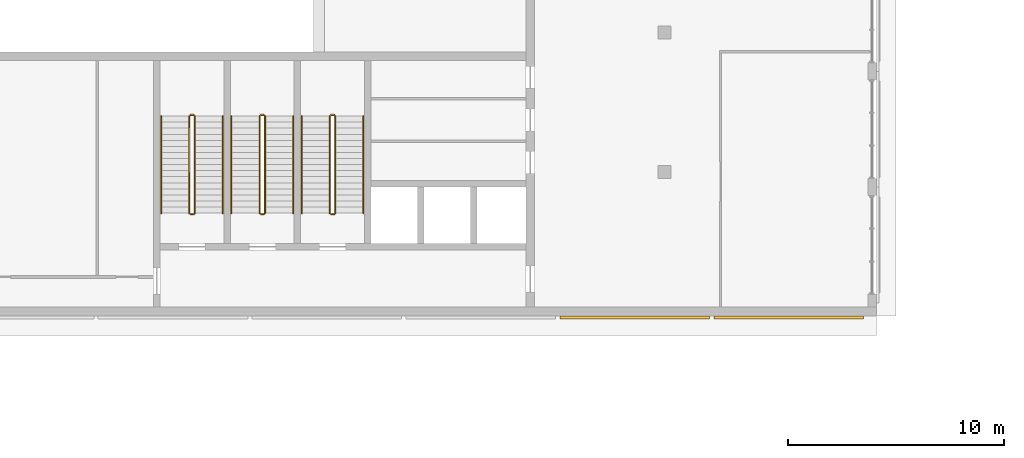
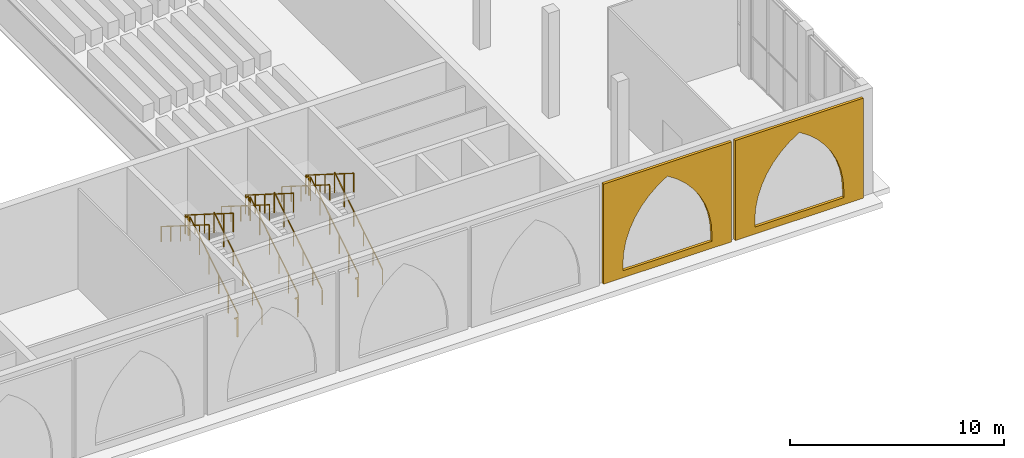
# One storey, part 30 of 74: 18 railings, 2 coverings.
"""IFC4 building model written with IfcOpenShell, lengths in metres."""

from ifc_helpers import new_model, si_unit, direction, frame, origin, origin_2d, place, context, subcontext, project, spatial, polyline, rectangle, outline, extrude, material, layer, layer_set, type_object, element, save


model = new_model("IFC4")

# Units and contexts
model_context = context("Model", 3, precision=1e-05, world=origin(), true_north=direction((0.0, 1.0)))
body_context = subcontext(model_context, "Body", "Model", "MODEL_VIEW")
ifc_project = project(units=[si_unit("LENGTHUNIT", "METRE"), si_unit("AREAUNIT", "SQUARE_METRE"), si_unit("VOLUMEUNIT", "CUBIC_METRE"), si_unit("PLANEANGLEUNIT", "RADIAN"), si_unit("MASSUNIT", "GRAM", prefix="KILO")], contexts=[model_context])

# Site, building, storey
site_placement = place(None, origin())
site = spatial("IfcSite", under=ifc_project, at=site_placement, CompositionType="ELEMENT")
building_placement = place(site_placement, origin())
building = spatial("IfcBuilding", under=site, at=building_placement, Name="Noorbagh Ring Tower", CompositionType="ELEMENT")
storey_placement = place(building_placement, frame((0.0, 0.0, 7.5)))
storey = spatial("IfcBuildingStorey", under=building, at=storey_placement, Name="L01", CompositionType="ELEMENT", Elevation=7.5)

# Coverings
ifc_material_1 = material(Name="Red sandstone cladding", Category="masonry")
ifc_layer = layer(ifc_material_1, 0.14990234375)
ifc_layer_set = layer_set([ifc_layer], Name="Red sandstone cladding")
covering_type = type_object("IfcCoveringType", Name="STH-BLIND", PredefinedType="USERDEFINED", material=ifc_layer_set)
covering_1_placement = place(storey_placement, frame((-109.622314453125, -21.14990234375, 0.0), z_axis=(0.0, -1.0, 0.0), x_axis=(1.0, 0.0, 0.0)))
element("IfcCovering", 1, at=covering_1_placement, inside=storey, type_object=covering_type, Name="Blind arch bay", ObjectType="ARCH", PredefinedType="USERDEFINED", context=body_context, shape_type="SweptSolid", body=[
    extrude(outline(polyline([(0.0, 0.0), (6.9111328125, 0.0), (6.9111328125, 5.699951171875), (0.0, 5.699951171875), (0.0, 0.0)]), holes=[polyline([(1.0556640625, 0.39990234375), (1.0556640625, 0.800048828125), (1.0966796875, 1.426513671875), (1.21923828125, 2.042236328125), (1.4208984375, 2.636962890625), (1.69873046875, 3.199951171875), (2.047607421875, 3.72216796875), (2.46142578125, 4.194091796875), (2.93359375, 4.608154296875), (3.45556640625, 4.956787109375), (3.977783203125, 4.608154296875), (4.44970703125, 4.194091796875), (4.86376953125, 3.72216796875), (5.21240234375, 3.199951171875), (5.490234375, 2.636962890625), (5.69189453125, 2.042236328125), (5.814453125, 1.426513671875), (5.855712890625, 0.800048828125), (5.855712890625, 0.39990234375), (1.0556640625, 0.39990234375)])]), origin(), (0.0, 0.0, -1.0), 0.14990234375),
])
covering_2_placement = place(storey_placement, frame((-102.510986328125, -21.14990234375, 0.0), z_axis=(0.0, -1.0, 0.0), x_axis=(1.0, 0.0, 0.0)))
element("IfcCovering", 2, at=covering_2_placement, inside=storey, type_object=covering_type, Name="Blind arch bay", ObjectType="ARCH", PredefinedType="USERDEFINED", context=body_context, shape_type="SweptSolid", body=[
    extrude(outline(polyline([(0.0, 0.0), (6.910888671875, 0.0), (6.910888671875, 5.699951171875), (0.0, 5.699951171875), (0.0, 0.0)]), holes=[polyline([(1.0556640625, 0.39990234375), (1.0556640625, 0.800048828125), (1.0966796875, 1.426513671875), (1.21923828125, 2.042236328125), (1.4208984375, 2.636962890625), (1.69873046875, 3.199951171875), (2.047607421875, 3.72216796875), (2.46142578125, 4.194091796875), (2.93359375, 4.608154296875), (3.45556640625, 4.956787109375), (3.977783203125, 4.608154296875), (4.44970703125, 4.194091796875), (4.86376953125, 3.72216796875), (5.21240234375, 3.199951171875), (5.490234375, 2.636962890625), (5.69189453125, 2.042236328125), (5.814453125, 1.426513671875), (5.855712890625, 0.800048828125), (5.855712890625, 0.39990234375), (1.0556640625, 0.39990234375)])]), origin(), (0.0, 0.0, -1.0), 0.14990234375),
])

# Railings
ifc_material_2 = material(Name="Stainless steel", Category="steel")
railing_type_1 = type_object("IfcRailingType", Name="TH-STAIR-GUARD", PredefinedType="GUARDRAIL", material=ifc_material_2)
railing_1_placement = place(storey_placement, frame((-123.25, -16.25, 0.176513671875)))
element("IfcRailing", 3, at=railing_1_placement, inside=storey, type_object=railing_type_1, Name="L01 TSS1 stair guard 1", PredefinedType="GUARDRAIL", context=body_context, shape_type="SweptSolid", body=[
    extrude(rectangle(XDim=0.048095703125, YDim=0.048095703125, at=origin_2d()), frame((0.0, 0.0, 1.076171875), z_axis=(0.0, 0.845997938375, 0.533186166611), x_axis=(-1.0, 0.0, 0.0)), (0.0, 0.0, 1.0), 5.29541015625),
    extrude(rectangle(XDim=0.0419921875, YDim=0.0419921875, at=origin_2d()), origin(), (0.0, 0.0, 1.0), 1.052001953125),
    extrude(rectangle(XDim=0.0419921875, YDim=0.0419921875, at=origin_2d()), frame((0.0, 0.89599609375, 0.564697265625)), (0.0, 0.0, 1.0), 1.052001953125),
    extrude(rectangle(XDim=0.0419921875, YDim=0.0419921875, at=origin_2d()), frame((0.0, 1.7919921875, 1.12939453125)), (0.0, 0.0, 1.0), 1.052001953125),
    extrude(rectangle(XDim=0.0419921875, YDim=0.0419921875, at=origin_2d()), frame((0.0, 2.68798828125, 1.694091796875)), (0.0, 0.0, 1.0), 1.052001953125),
    extrude(rectangle(XDim=0.0419921875, YDim=0.0419921875, at=origin_2d()), frame((0.0, 3.583984375, 2.2587890625)), (0.0, 0.0, 1.0), 1.052001953125),
    extrude(rectangle(XDim=0.0419921875, YDim=0.0419921875, at=origin_2d()), frame((0.0, 4.47998046875, 2.823486328125)), (0.0, 0.0, 1.0), 1.052001953125),
])
railing_2_placement = place(storey_placement, frame((-123.300048828125, -11.719970703125, 3.0)))
element("IfcRailing", 4, at=railing_2_placement, inside=storey, type_object=railing_type_1, Name="L01 TSS1 stair guard 2", PredefinedType="GUARDRAIL", context=body_context, shape_type="SweptSolid", body=[
    extrude(rectangle(XDim=0.048095703125, YDim=0.048095703125, at=origin_2d()), frame((0.0, 0.0, 1.076171875), z_axis=(-1.0, 0.0, 0.0), x_axis=(0.0, -1.0, 0.0)), (0.0, 0.0, 1.0), 0.14990234375),
    extrude(rectangle(XDim=0.0419921875, YDim=0.0419921875, at=origin_2d()), origin(), (0.0, 0.0, 1.0), 1.052001953125),
])
railing_3_placement = place(storey_placement, frame((-123.5, -11.77001953125, 3.176513671875)))
element("IfcRailing", 5, at=railing_3_placement, inside=storey, type_object=railing_type_1, Name="L01 TSS1 stair guard 3", PredefinedType="GUARDRAIL", context=body_context, shape_type="SweptSolid", body=[
    extrude(rectangle(XDim=0.048095703125, YDim=0.048095703125, at=origin_2d()), frame((0.0, 0.0, 1.076171875), z_axis=(0.0, -0.845997938375, 0.533186166611), x_axis=(1.0, 0.0, 0.0)), (0.0, 0.0, 1.0), 5.29541015625),
    extrude(rectangle(XDim=0.0419921875, YDim=0.0419921875, at=origin_2d()), origin(), (0.0, 0.0, 1.0), 1.052001953125),
    extrude(rectangle(XDim=0.0419921875, YDim=0.0419921875, at=origin_2d()), frame((0.0, -0.89599609375, 0.564697265625)), (0.0, 0.0, 1.0), 1.052001953125),
    extrude(rectangle(XDim=0.0419921875, YDim=0.0419921875, at=origin_2d()), frame((0.0, -1.7919921875, 1.12939453125)), (0.0, 0.0, 1.0), 1.052001953125),
    extrude(rectangle(XDim=0.0419921875, YDim=0.0419921875, at=origin_2d()), frame((0.0, -2.68798828125, 1.694091796875)), (0.0, 0.0, 1.0), 1.052001953125),
    extrude(rectangle(XDim=0.0419921875, YDim=0.0419921875, at=origin_2d()), frame((0.0, -3.583984375, 2.2587890625)), (0.0, 0.0, 1.0), 1.052001953125),
    extrude(rectangle(XDim=0.0419921875, YDim=0.0419921875, at=origin_2d()), frame((0.0, -4.47998046875, 2.823486328125)), (0.0, 0.0, 1.0), 1.052001953125),
])
railing_4_placement = place(storey_placement, frame((-123.300048828125, -16.300048828125, 0.0)))
element("IfcRailing", 6, at=railing_4_placement, inside=storey, type_object=railing_type_1, Name="L01 TSS1 stair guard 4", PredefinedType="GUARDRAIL", context=body_context, shape_type="SweptSolid", body=[
    extrude(rectangle(XDim=0.048095703125, YDim=0.048095703125, at=origin_2d()), frame((0.0, 0.0, 1.076171875), z_axis=(-1.0, 0.0, 0.0), x_axis=(0.0, -1.0, 0.0)), (0.0, 0.0, 1.0), 0.14990234375),
    extrude(rectangle(XDim=0.0419921875, YDim=0.0419921875, at=origin_2d()), origin(), (0.0, 0.0, 1.0), 1.052001953125),
])
railing_5_placement = place(storey_placement, frame((-120.0, -16.25, 0.176513671875)))
element("IfcRailing", 7, at=railing_5_placement, inside=storey, type_object=railing_type_1, Name="L01 TSS2 stair guard 1", PredefinedType="GUARDRAIL", context=body_context, shape_type="SweptSolid", body=[
    extrude(rectangle(XDim=0.048095703125, YDim=0.048095703125, at=origin_2d()), frame((0.0, 0.0, 1.076171875), z_axis=(0.0, 0.845997938375, 0.533186166611), x_axis=(-1.0, 0.0, 0.0)), (0.0, 0.0, 1.0), 5.29541015625),
    extrude(rectangle(XDim=0.0419921875, YDim=0.0419921875, at=origin_2d()), origin(), (0.0, 0.0, 1.0), 1.052001953125),
    extrude(rectangle(XDim=0.0419921875, YDim=0.0419921875, at=origin_2d()), frame((0.0, 0.89599609375, 0.564697265625)), (0.0, 0.0, 1.0), 1.052001953125),
    extrude(rectangle(XDim=0.0419921875, YDim=0.0419921875, at=origin_2d()), frame((0.0, 1.7919921875, 1.12939453125)), (0.0, 0.0, 1.0), 1.052001953125),
    extrude(rectangle(XDim=0.0419921875, YDim=0.0419921875, at=origin_2d()), frame((0.0, 2.68798828125, 1.694091796875)), (0.0, 0.0, 1.0), 1.052001953125),
    extrude(rectangle(XDim=0.0419921875, YDim=0.0419921875, at=origin_2d()), frame((0.0, 3.583984375, 2.2587890625)), (0.0, 0.0, 1.0), 1.052001953125),
    extrude(rectangle(XDim=0.0419921875, YDim=0.0419921875, at=origin_2d()), frame((0.0, 4.47998046875, 2.823486328125)), (0.0, 0.0, 1.0), 1.052001953125),
])
railing_6_placement = place(storey_placement, frame((-120.050048828125, -11.719970703125, 3.0)))
element("IfcRailing", 8, at=railing_6_placement, inside=storey, type_object=railing_type_1, Name="L01 TSS2 stair guard 2", PredefinedType="GUARDRAIL", context=body_context, shape_type="SweptSolid", body=[
    extrude(rectangle(XDim=0.048095703125, YDim=0.048095703125, at=origin_2d()), frame((0.0, 0.0, 1.076171875), z_axis=(-1.0, 0.0, 0.0), x_axis=(0.0, -1.0, 0.0)), (0.0, 0.0, 1.0), 0.14990234375),
    extrude(rectangle(XDim=0.0419921875, YDim=0.0419921875, at=origin_2d()), origin(), (0.0, 0.0, 1.0), 1.052001953125),
])
railing_7_placement = place(storey_placement, frame((-120.25, -11.77001953125, 3.176513671875)))
element("IfcRailing", 9, at=railing_7_placement, inside=storey, type_object=railing_type_1, Name="L01 TSS2 stair guard 3", PredefinedType="GUARDRAIL", context=body_context, shape_type="SweptSolid", body=[
    extrude(rectangle(XDim=0.048095703125, YDim=0.048095703125, at=origin_2d()), frame((0.0, 0.0, 1.076171875), z_axis=(0.0, -0.845997938375, 0.533186166611), x_axis=(1.0, 0.0, 0.0)), (0.0, 0.0, 1.0), 5.29541015625),
    extrude(rectangle(XDim=0.0419921875, YDim=0.0419921875, at=origin_2d()), origin(), (0.0, 0.0, 1.0), 1.052001953125),
    extrude(rectangle(XDim=0.0419921875, YDim=0.0419921875, at=origin_2d()), frame((0.0, -0.89599609375, 0.564697265625)), (0.0, 0.0, 1.0), 1.052001953125),
    extrude(rectangle(XDim=0.0419921875, YDim=0.0419921875, at=origin_2d()), frame((0.0, -1.7919921875, 1.12939453125)), (0.0, 0.0, 1.0), 1.052001953125),
    extrude(rectangle(XDim=0.0419921875, YDim=0.0419921875, at=origin_2d()), frame((0.0, -2.68798828125, 1.694091796875)), (0.0, 0.0, 1.0), 1.052001953125),
    extrude(rectangle(XDim=0.0419921875, YDim=0.0419921875, at=origin_2d()), frame((0.0, -3.583984375, 2.2587890625)), (0.0, 0.0, 1.0), 1.052001953125),
    extrude(rectangle(XDim=0.0419921875, YDim=0.0419921875, at=origin_2d()), frame((0.0, -4.47998046875, 2.823486328125)), (0.0, 0.0, 1.0), 1.052001953125),
])
railing_8_placement = place(storey_placement, frame((-120.050048828125, -16.300048828125, 0.0)))
element("IfcRailing", 10, at=railing_8_placement, inside=storey, type_object=railing_type_1, Name="L01 TSS2 stair guard 4", PredefinedType="GUARDRAIL", context=body_context, shape_type="SweptSolid", body=[
    extrude(rectangle(XDim=0.048095703125, YDim=0.048095703125, at=origin_2d()), frame((0.0, 0.0, 1.076171875), z_axis=(-1.0, 0.0, 0.0), x_axis=(0.0, -1.0, 0.0)), (0.0, 0.0, 1.0), 0.14990234375),
    extrude(rectangle(XDim=0.0419921875, YDim=0.0419921875, at=origin_2d()), origin(), (0.0, 0.0, 1.0), 1.052001953125),
])
railing_9_placement = place(storey_placement, frame((-126.5, -16.25, 0.176513671875)))
element("IfcRailing", 11, at=railing_9_placement, inside=storey, type_object=railing_type_1, Name="L01 TSS3 stair guard 1", PredefinedType="GUARDRAIL", context=body_context, shape_type="SweptSolid", body=[
    extrude(rectangle(XDim=0.048095703125, YDim=0.048095703125, at=origin_2d()), frame((0.0, 0.0, 1.076171875), z_axis=(0.0, 0.845997938375, 0.533186166611), x_axis=(-1.0, 0.0, 0.0)), (0.0, 0.0, 1.0), 5.29541015625),
    extrude(rectangle(XDim=0.0419921875, YDim=0.0419921875, at=origin_2d()), origin(), (0.0, 0.0, 1.0), 1.052001953125),
    extrude(rectangle(XDim=0.0419921875, YDim=0.0419921875, at=origin_2d()), frame((0.0, 0.89599609375, 0.564697265625)), (0.0, 0.0, 1.0), 1.052001953125),
    extrude(rectangle(XDim=0.0419921875, YDim=0.0419921875, at=origin_2d()), frame((0.0, 1.7919921875, 1.12939453125)), (0.0, 0.0, 1.0), 1.052001953125),
    extrude(rectangle(XDim=0.0419921875, YDim=0.0419921875, at=origin_2d()), frame((0.0, 2.68798828125, 1.694091796875)), (0.0, 0.0, 1.0), 1.052001953125),
    extrude(rectangle(XDim=0.0419921875, YDim=0.0419921875, at=origin_2d()), frame((0.0, 3.583984375, 2.2587890625)), (0.0, 0.0, 1.0), 1.052001953125),
    extrude(rectangle(XDim=0.0419921875, YDim=0.0419921875, at=origin_2d()), frame((0.0, 4.47998046875, 2.823486328125)), (0.0, 0.0, 1.0), 1.052001953125),
])
railing_10_placement = place(storey_placement, frame((-126.550048828125, -11.719970703125, 3.0)))
element("IfcRailing", 12, at=railing_10_placement, inside=storey, type_object=railing_type_1, Name="L01 TSS3 stair guard 2", PredefinedType="GUARDRAIL", context=body_context, shape_type="SweptSolid", body=[
    extrude(rectangle(XDim=0.048095703125, YDim=0.048095703125, at=origin_2d()), frame((0.0, 0.0, 1.076171875), z_axis=(-1.0, 0.0, 0.0), x_axis=(0.0, -1.0, 0.0)), (0.0, 0.0, 1.0), 0.14990234375),
    extrude(rectangle(XDim=0.0419921875, YDim=0.0419921875, at=origin_2d()), origin(), (0.0, 0.0, 1.0), 1.052001953125),
])
railing_11_placement = place(storey_placement, frame((-126.75, -11.77001953125, 3.176513671875)))
element("IfcRailing", 13, at=railing_11_placement, inside=storey, type_object=railing_type_1, Name="L01 TSS3 stair guard 3", PredefinedType="GUARDRAIL", context=body_context, shape_type="SweptSolid", body=[
    extrude(rectangle(XDim=0.048095703125, YDim=0.048095703125, at=origin_2d()), frame((0.0, 0.0, 1.076171875), z_axis=(0.0, -0.845997938375, 0.533186166611), x_axis=(1.0, 0.0, 0.0)), (0.0, 0.0, 1.0), 5.29541015625),
    extrude(rectangle(XDim=0.0419921875, YDim=0.0419921875, at=origin_2d()), origin(), (0.0, 0.0, 1.0), 1.052001953125),
    extrude(rectangle(XDim=0.0419921875, YDim=0.0419921875, at=origin_2d()), frame((0.0, -0.89599609375, 0.564697265625)), (0.0, 0.0, 1.0), 1.052001953125),
    extrude(rectangle(XDim=0.0419921875, YDim=0.0419921875, at=origin_2d()), frame((0.0, -1.7919921875, 1.12939453125)), (0.0, 0.0, 1.0), 1.052001953125),
    extrude(rectangle(XDim=0.0419921875, YDim=0.0419921875, at=origin_2d()), frame((0.0, -2.68798828125, 1.694091796875)), (0.0, 0.0, 1.0), 1.052001953125),
    extrude(rectangle(XDim=0.0419921875, YDim=0.0419921875, at=origin_2d()), frame((0.0, -3.583984375, 2.2587890625)), (0.0, 0.0, 1.0), 1.052001953125),
    extrude(rectangle(XDim=0.0419921875, YDim=0.0419921875, at=origin_2d()), frame((0.0, -4.47998046875, 2.823486328125)), (0.0, 0.0, 1.0), 1.052001953125),
])
railing_12_placement = place(storey_placement, frame((-126.550048828125, -16.300048828125, 0.0)))
element("IfcRailing", 14, at=railing_12_placement, inside=storey, type_object=railing_type_1, Name="L01 TSS3 stair guard 4", PredefinedType="GUARDRAIL", context=body_context, shape_type="SweptSolid", body=[
    extrude(rectangle(XDim=0.048095703125, YDim=0.048095703125, at=origin_2d()), frame((0.0, 0.0, 1.076171875), z_axis=(-1.0, 0.0, 0.0), x_axis=(0.0, -1.0, 0.0)), (0.0, 0.0, 1.0), 0.14990234375),
    extrude(rectangle(XDim=0.0419921875, YDim=0.0419921875, at=origin_2d()), origin(), (0.0, 0.0, 1.0), 1.052001953125),
])
ifc_material_3 = material(Name="Stainless steel", Category="steel")
railing_type_2 = type_object("IfcRailingType", Name="TH-STAIR-HANDRAIL", PredefinedType="HANDRAIL", material=ifc_material_3)
railing_13_placement = place(storey_placement, frame((-121.949951171875, -16.25, 0.176513671875)))
element("IfcRailing", 15, at=railing_13_placement, inside=storey, type_object=railing_type_2, Name="L01 TSS1 stair handrail 1", PredefinedType="HANDRAIL", context=body_context, shape_type="SweptSolid", body=[
    extrude(rectangle(XDim=0.048095703125, YDim=0.048095703125, at=origin_2d()), frame((0.0, 0.0, 0.8759765625), z_axis=(0.0, 0.845997938375, 0.533186166611), x_axis=(-1.0, 0.0, 0.0)), (0.0, 0.0, 1.0), 5.29541015625),
    extrude(rectangle(XDim=0.0419921875, YDim=0.0419921875, at=origin_2d()), origin(), (0.0, 0.0, 1.0), 0.851806640625),
    extrude(rectangle(XDim=0.0419921875, YDim=0.0419921875, at=origin_2d()), frame((0.0, 0.89599609375, 0.564697265625)), (0.0, 0.0, 1.0), 0.851806640625),
    extrude(rectangle(XDim=0.0419921875, YDim=0.0419921875, at=origin_2d()), frame((0.0, 1.7919921875, 1.12939453125)), (0.0, 0.0, 1.0), 0.851806640625),
    extrude(rectangle(XDim=0.0419921875, YDim=0.0419921875, at=origin_2d()), frame((0.0, 2.68798828125, 1.694091796875)), (0.0, 0.0, 1.0), 0.851806640625),
    extrude(rectangle(XDim=0.0419921875, YDim=0.0419921875, at=origin_2d()), frame((0.0, 3.583984375, 2.2587890625)), (0.0, 0.0, 1.0), 0.851806640625),
    extrude(rectangle(XDim=0.0419921875, YDim=0.0419921875, at=origin_2d()), frame((0.0, 4.47998046875, 2.823486328125)), (0.0, 0.0, 1.0), 0.851806640625),
])
railing_14_placement = place(storey_placement, frame((-124.800048828125, -11.77001953125, 3.176513671875)))
element("IfcRailing", 16, at=railing_14_placement, inside=storey, type_object=railing_type_2, Name="L01 TSS1 stair handrail 2", PredefinedType="HANDRAIL", context=body_context, shape_type="SweptSolid", body=[
    extrude(rectangle(XDim=0.048095703125, YDim=0.048095703125, at=origin_2d()), frame((0.0, 0.0, 0.8759765625), z_axis=(0.0, -0.845997938375, 0.533186166611), x_axis=(1.0, 0.0, 0.0)), (0.0, 0.0, 1.0), 5.29541015625),
    extrude(rectangle(XDim=0.0419921875, YDim=0.0419921875, at=origin_2d()), origin(), (0.0, 0.0, 1.0), 0.851806640625),
    extrude(rectangle(XDim=0.0419921875, YDim=0.0419921875, at=origin_2d()), frame((0.0, -0.89599609375, 0.564697265625)), (0.0, 0.0, 1.0), 0.851806640625),
    extrude(rectangle(XDim=0.0419921875, YDim=0.0419921875, at=origin_2d()), frame((0.0, -1.7919921875, 1.12939453125)), (0.0, 0.0, 1.0), 0.851806640625),
    extrude(rectangle(XDim=0.0419921875, YDim=0.0419921875, at=origin_2d()), frame((0.0, -2.68798828125, 1.694091796875)), (0.0, 0.0, 1.0), 0.851806640625),
    extrude(rectangle(XDim=0.0419921875, YDim=0.0419921875, at=origin_2d()), frame((0.0, -3.583984375, 2.2587890625)), (0.0, 0.0, 1.0), 0.851806640625),
    extrude(rectangle(XDim=0.0419921875, YDim=0.0419921875, at=origin_2d()), frame((0.0, -4.47998046875, 2.823486328125)), (0.0, 0.0, 1.0), 0.851806640625),
])
railing_15_placement = place(storey_placement, frame((-118.699951171875, -16.25, 0.176513671875)))
element("IfcRailing", 17, at=railing_15_placement, inside=storey, type_object=railing_type_2, Name="L01 TSS2 stair handrail 1", PredefinedType="HANDRAIL", context=body_context, shape_type="SweptSolid", body=[
    extrude(rectangle(XDim=0.048095703125, YDim=0.048095703125, at=origin_2d()), frame((0.0, 0.0, 0.8759765625), z_axis=(0.0, 0.845997938375, 0.533186166611), x_axis=(-1.0, 0.0, 0.0)), (0.0, 0.0, 1.0), 5.29541015625),
    extrude(rectangle(XDim=0.0419921875, YDim=0.0419921875, at=origin_2d()), origin(), (0.0, 0.0, 1.0), 0.851806640625),
    extrude(rectangle(XDim=0.0419921875, YDim=0.0419921875, at=origin_2d()), frame((0.0, 0.89599609375, 0.564697265625)), (0.0, 0.0, 1.0), 0.851806640625),
    extrude(rectangle(XDim=0.0419921875, YDim=0.0419921875, at=origin_2d()), frame((0.0, 1.7919921875, 1.12939453125)), (0.0, 0.0, 1.0), 0.851806640625),
    extrude(rectangle(XDim=0.0419921875, YDim=0.0419921875, at=origin_2d()), frame((0.0, 2.68798828125, 1.694091796875)), (0.0, 0.0, 1.0), 0.851806640625),
    extrude(rectangle(XDim=0.0419921875, YDim=0.0419921875, at=origin_2d()), frame((0.0, 3.583984375, 2.2587890625)), (0.0, 0.0, 1.0), 0.851806640625),
    extrude(rectangle(XDim=0.0419921875, YDim=0.0419921875, at=origin_2d()), frame((0.0, 4.47998046875, 2.823486328125)), (0.0, 0.0, 1.0), 0.851806640625),
])
railing_16_placement = place(storey_placement, frame((-121.550048828125, -11.77001953125, 3.176513671875)))
element("IfcRailing", 18, at=railing_16_placement, inside=storey, type_object=railing_type_2, Name="L01 TSS2 stair handrail 2", PredefinedType="HANDRAIL", context=body_context, shape_type="SweptSolid", body=[
    extrude(rectangle(XDim=0.048095703125, YDim=0.048095703125, at=origin_2d()), frame((0.0, 0.0, 0.8759765625), z_axis=(0.0, -0.845997938375, 0.533186166611), x_axis=(1.0, 0.0, 0.0)), (0.0, 0.0, 1.0), 5.29541015625),
    extrude(rectangle(XDim=0.0419921875, YDim=0.0419921875, at=origin_2d()), origin(), (0.0, 0.0, 1.0), 0.851806640625),
    extrude(rectangle(XDim=0.0419921875, YDim=0.0419921875, at=origin_2d()), frame((0.0, -0.89599609375, 0.564697265625)), (0.0, 0.0, 1.0), 0.851806640625),
    extrude(rectangle(XDim=0.0419921875, YDim=0.0419921875, at=origin_2d()), frame((0.0, -1.7919921875, 1.12939453125)), (0.0, 0.0, 1.0), 0.851806640625),
    extrude(rectangle(XDim=0.0419921875, YDim=0.0419921875, at=origin_2d()), frame((0.0, -2.68798828125, 1.694091796875)), (0.0, 0.0, 1.0), 0.851806640625),
    extrude(rectangle(XDim=0.0419921875, YDim=0.0419921875, at=origin_2d()), frame((0.0, -3.583984375, 2.2587890625)), (0.0, 0.0, 1.0), 0.851806640625),
    extrude(rectangle(XDim=0.0419921875, YDim=0.0419921875, at=origin_2d()), frame((0.0, -4.47998046875, 2.823486328125)), (0.0, 0.0, 1.0), 0.851806640625),
])
railing_17_placement = place(storey_placement, frame((-125.199951171875, -16.25, 0.176513671875)))
element("IfcRailing", 19, at=railing_17_placement, inside=storey, type_object=railing_type_2, Name="L01 TSS3 stair handrail 1", PredefinedType="HANDRAIL", context=body_context, shape_type="SweptSolid", body=[
    extrude(rectangle(XDim=0.048095703125, YDim=0.048095703125, at=origin_2d()), frame((0.0, 0.0, 0.8759765625), z_axis=(0.0, 0.845997938375, 0.533186166611), x_axis=(-1.0, 0.0, 0.0)), (0.0, 0.0, 1.0), 5.29541015625),
    extrude(rectangle(XDim=0.0419921875, YDim=0.0419921875, at=origin_2d()), origin(), (0.0, 0.0, 1.0), 0.851806640625),
    extrude(rectangle(XDim=0.0419921875, YDim=0.0419921875, at=origin_2d()), frame((0.0, 0.89599609375, 0.564697265625)), (0.0, 0.0, 1.0), 0.851806640625),
    extrude(rectangle(XDim=0.0419921875, YDim=0.0419921875, at=origin_2d()), frame((0.0, 1.7919921875, 1.12939453125)), (0.0, 0.0, 1.0), 0.851806640625),
    extrude(rectangle(XDim=0.0419921875, YDim=0.0419921875, at=origin_2d()), frame((0.0, 2.68798828125, 1.694091796875)), (0.0, 0.0, 1.0), 0.851806640625),
    extrude(rectangle(XDim=0.0419921875, YDim=0.0419921875, at=origin_2d()), frame((0.0, 3.583984375, 2.2587890625)), (0.0, 0.0, 1.0), 0.851806640625),
    extrude(rectangle(XDim=0.0419921875, YDim=0.0419921875, at=origin_2d()), frame((0.0, 4.47998046875, 2.823486328125)), (0.0, 0.0, 1.0), 0.851806640625),
])
railing_18_placement = place(storey_placement, frame((-128.050048828125, -11.77001953125, 3.176513671875)))
element("IfcRailing", 20, at=railing_18_placement, inside=storey, type_object=railing_type_2, Name="L01 TSS3 stair handrail 2", PredefinedType="HANDRAIL", context=body_context, shape_type="SweptSolid", body=[
    extrude(rectangle(XDim=0.048095703125, YDim=0.048095703125, at=origin_2d()), frame((0.0, 0.0, 0.8759765625), z_axis=(0.0, -0.845997938375, 0.533186166611), x_axis=(1.0, 0.0, 0.0)), (0.0, 0.0, 1.0), 5.29541015625),
    extrude(rectangle(XDim=0.0419921875, YDim=0.0419921875, at=origin_2d()), origin(), (0.0, 0.0, 1.0), 0.851806640625),
    extrude(rectangle(XDim=0.0419921875, YDim=0.0419921875, at=origin_2d()), frame((0.0, -0.89599609375, 0.564697265625)), (0.0, 0.0, 1.0), 0.851806640625),
    extrude(rectangle(XDim=0.0419921875, YDim=0.0419921875, at=origin_2d()), frame((0.0, -1.7919921875, 1.12939453125)), (0.0, 0.0, 1.0), 0.851806640625),
    extrude(rectangle(XDim=0.0419921875, YDim=0.0419921875, at=origin_2d()), frame((0.0, -2.68798828125, 1.694091796875)), (0.0, 0.0, 1.0), 0.851806640625),
    extrude(rectangle(XDim=0.0419921875, YDim=0.0419921875, at=origin_2d()), frame((0.0, -3.583984375, 2.2587890625)), (0.0, 0.0, 1.0), 0.851806640625),
    extrude(rectangle(XDim=0.0419921875, YDim=0.0419921875, at=origin_2d()), frame((0.0, -4.47998046875, 2.823486328125)), (0.0, 0.0, 1.0), 0.851806640625),
])

save(model, "model.ifc")
